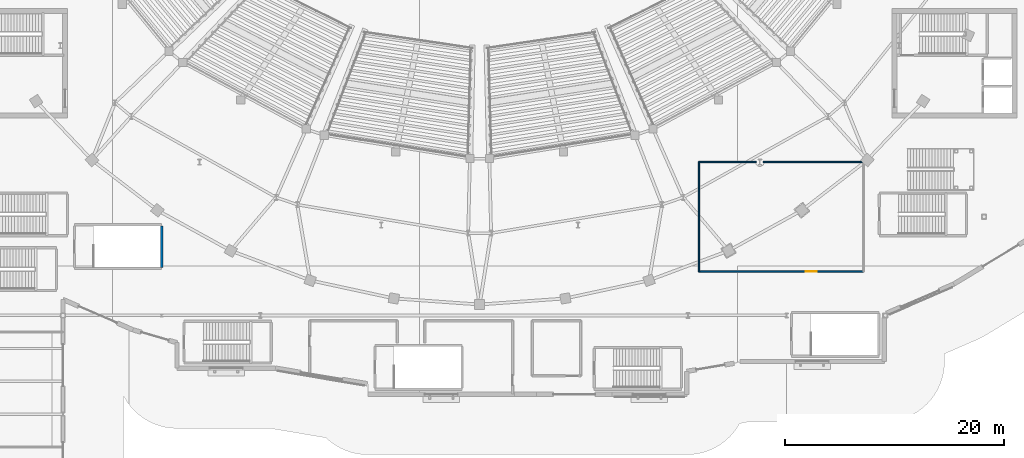
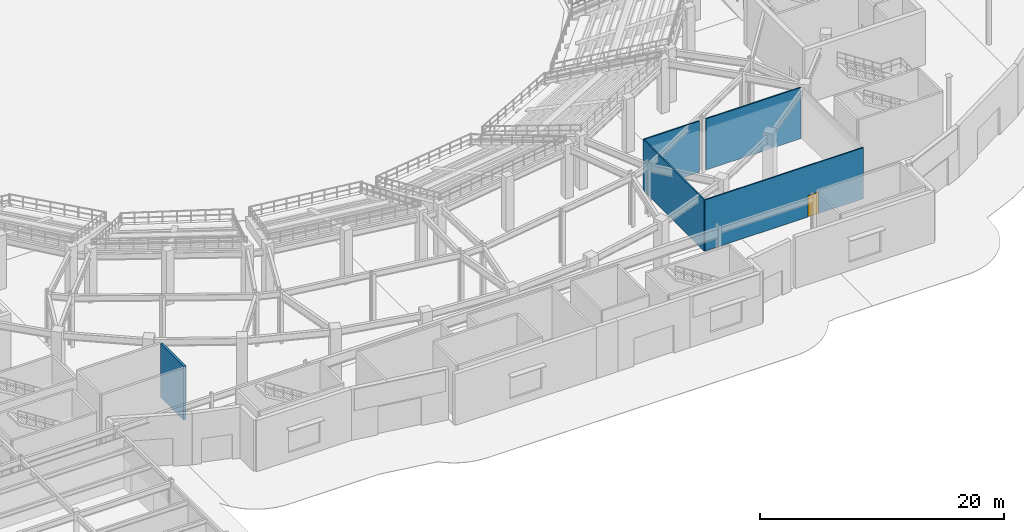
# One storey, part 50 of 79: 5 walls, 1 door, 1 opening.
"""IFC4 building model written with IfcOpenShell, lengths in metres."""

from ifc_helpers import new_model, si_unit, direction, frame, frame_2d, origin, place, context, subcontext, project, spatial, rectangle, extrude, material, layer, layer_set, type_object, element, fill, save


model = new_model("IFC4")

# Units and contexts
model_context = context("Model", 3, precision=1e-05, world=origin(), true_north=direction((0.0, 1.0)))
body_context = subcontext(model_context, "Body", "Model", "MODEL_VIEW")
ifc_project = project(units=[si_unit("LENGTHUNIT", "METRE"), si_unit("AREAUNIT", "SQUARE_METRE"), si_unit("VOLUMEUNIT", "CUBIC_METRE"), si_unit("PLANEANGLEUNIT", "RADIAN"), si_unit("MASSUNIT", "GRAM", prefix="KILO")], contexts=[model_context])

# Site, building, storey
site_placement = place(None, origin())
site = spatial("IfcSite", under=ifc_project, at=site_placement, CompositionType="ELEMENT")
building_placement = place(site_placement, origin())
building = spatial("IfcBuilding", under=site, at=building_placement, Name="Glasvene Arena", CompositionType="ELEMENT")
storey_placement = place(building_placement, origin())
storey = spatial("IfcBuildingStorey", under=building, at=storey_placement, Name="L00", CompositionType="ELEMENT", Elevation=0.0)

# Walls
ifc_material_1 = material(Name="Lightweight gypsum metal-stud partition")
ifc_layer_1 = layer(ifc_material_1, 0.1201171875)
ifc_layer_set_1 = layer_set([ifc_layer_1], Name="Lightweight gypsum metal-stud partition")
wall_type_1 = type_object("IfcWallType", Name="WL-PART-120", PredefinedType="PARTITIONING", material=ifc_layer_set_1)
wall_1_placement = place(storey_placement, frame((112.0, 41.0, 0.0), z_axis=(0.0, 0.0, 1.0), x_axis=(1.0, 0.0, 0.0)))
element("IfcWall", 1, at=wall_1_placement, inside=storey, type_object=wall_type_1, Name="Interior partition wall IW-L00-0079 (Match Officials Desk and Briefing)", PredefinedType="PARTITIONING", context=body_context, shape_type="SweptSolid", body=[
    extrude(rectangle(XDim=5.234375, YDim=0.1201171875, at=frame_2d((2.6171875, 0.0))), origin(), (0.0, 0.0, 1.0), 5.1201171875),
])
wall_2_placement = place(storey_placement, frame((117.8779296875, 41.0, 0.0), z_axis=(0.0, 0.0, 1.0), x_axis=(1.0, 0.0, 0.0)))
element("IfcWall", 2, at=wall_2_placement, inside=storey, type_object=wall_type_1, Name="Interior partition wall IW-L00-0080 (Match Officials Desk and Briefing)", PredefinedType="PARTITIONING", context=body_context, shape_type="SweptSolid", body=[
    extrude(rectangle(XDim=8.9990234375, YDim=0.1201171875, at=frame_2d((4.49951171875, 0.0))), origin(), (0.0, 0.0, 1.0), 5.1201171875),
])

# Wall, opening, door
wall_3_placement = place(storey_placement, frame((127.0, 31.0, 0.0), z_axis=(0.0, 0.0, 1.0), x_axis=(-1.0, 0.0, 0.0)))
wall_3 = element("IfcWall", 3, at=wall_3_placement, inside=storey, type_object=wall_type_1, Name="Interior partition wall IW-L00-0082 (Match Officials Desk and Briefing)", PredefinedType="PARTITIONING", context=body_context, shape_type="SweptSolid", body=[
    extrude(rectangle(XDim=15.0, YDim=0.1201171875, at=frame_2d((7.5, 0.0))), origin(), (0.0, 0.0, 1.0), 5.1201171875),
])
opening_placement = place(wall_3_placement, frame((4.25, 0.0, 0.0)))
opening = element("IfcOpeningElement", 4, at=opening_placement, cuts=wall_3, Name="Opening D-06", PredefinedType="OPENING", context=body_context, shape_type="SweptSolid", body=[
    extrude(rectangle(XDim=1.0, YDim=2.14990234375, at=frame_2d((0.5, 1.074951171875))), frame((0.0, 0.070068359375, 0.0), z_axis=(0.0, -1.0, 0.0), x_axis=(1.0, 0.0, 0.0)), (0.0, 0.0, 1.0), 0.14013671875),
])
ifc_material_2 = material(Name="European oak fire-resisting timber", Category="wood")
door_type = type_object("IfcDoorType", Name="DR-FD30-1000", OperationType="NOTDEFINED", PredefinedType="DOOR", material=ifc_material_2)
door_placement = place(opening_placement, origin())
door = element("IfcDoor", 5, at=door_placement, inside=storey, type_object=door_type, Name="Interior door DR-FD30-1000 (Match Officials Desk and Briefing)", OperationType="SINGLE_SWING_RIGHT", OverallHeight=2.14990234375, OverallWidth=1.0, PredefinedType="DOOR", context=body_context, shape_type="SweptSolid", body=[
    extrude(rectangle(XDim=1.0, YDim=2.14990234375, at=frame_2d((0.5, 1.074951171875))), frame((0.0, 0.02490234375, 0.0), z_axis=(0.0, -1.0, 0.0), x_axis=(1.0, 0.0, 0.0)), (0.0, 0.0, 1.0), 0.050048828125),
])
fill(opening, door)

# Walls
wall_4_placement = place(storey_placement, frame((112.0, 31.0, 0.0), z_axis=(0.0, 0.0, 1.0), x_axis=(0.0, 1.0, 0.0)))
element("IfcWall", 6, at=wall_4_placement, inside=storey, type_object=wall_type_1, Name="Interior partition wall IW-L00-0083 (Match Officials Desk and Briefing)", PredefinedType="PARTITIONING", context=body_context, shape_type="SweptSolid", body=[
    extrude(rectangle(XDim=10.0, YDim=0.1201171875, at=frame_2d((5.0, 0.0))), origin(), (0.0, 0.0, 1.0), 5.1201171875),
])
ifc_material_3 = material(Name="Concrete C40/50", Category="concrete")
ifc_layer_2 = layer(ifc_material_3, 0.199951171875)
ifc_layer_set_2 = layer_set([ifc_layer_2], Name="Concrete C40/50")
wall_type_2 = type_object("IfcWallType", Name="WL-SHAFT-200", PredefinedType="SHEAR", material=ifc_layer_set_2)
wall_5_placement = place(storey_placement, frame((63.0, 31.382080078125, 0.0), z_axis=(0.0, 0.0, 1.0), x_axis=(0.0, 1.0, 0.0)))
element("IfcWall", 7, at=wall_5_placement, inside=storey, type_object=wall_type_2, Name="Escape stair shaft wall ST-B06 L00 E", PredefinedType="SHEAR", context=body_context, shape_type="SweptSolid", body=[
    extrude(rectangle(XDim=3.785888671875, YDim=0.199951171875, at=frame_2d((1.89306640625, 0.0))), origin(), (0.0, 0.0, 1.0), 5.39990234375),
])

save(model, "model.ifc")
